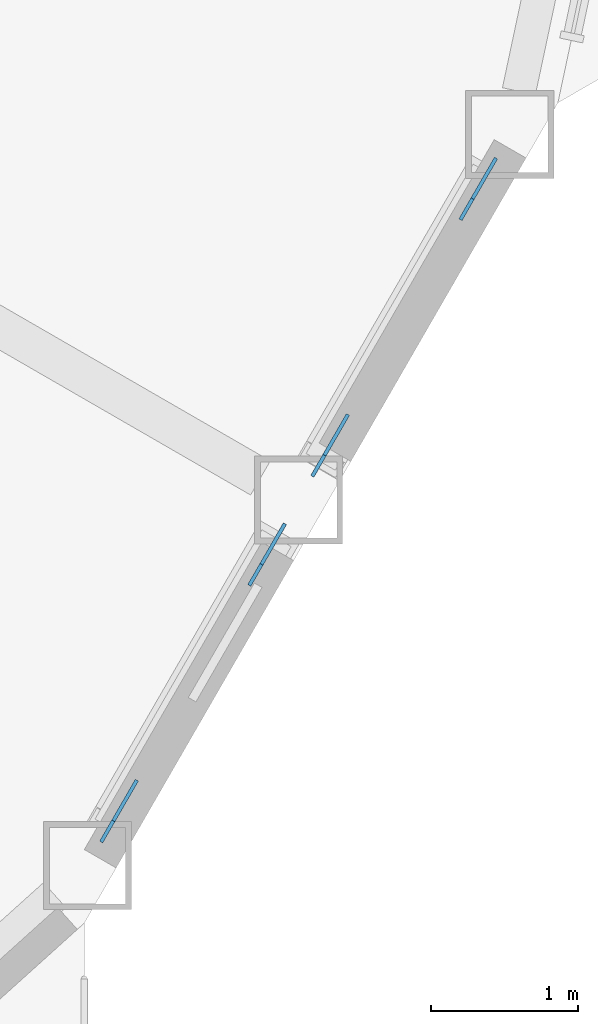
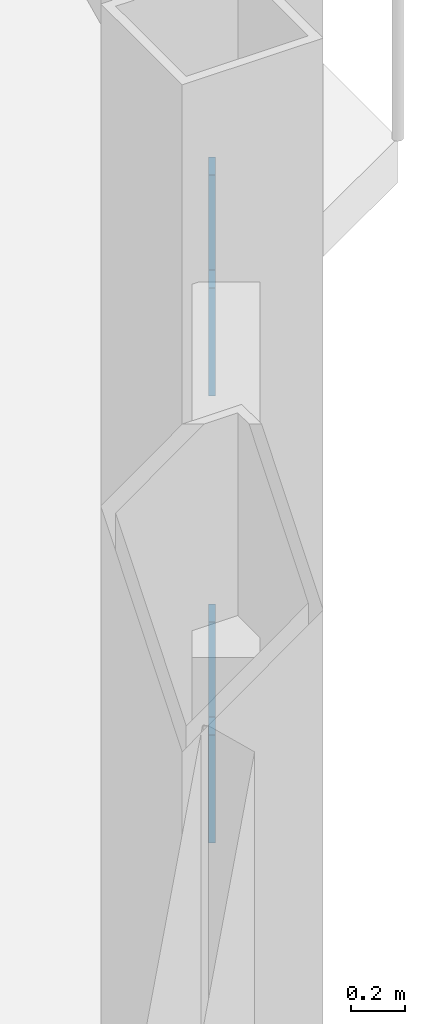
# One storey, part 20 of 26: 4 discrete accessories.
"""IFC4 building model written with IfcOpenShell, lengths in metres."""

from ifc_helpers import new_model, si_unit, direction, frame, origin, origin_2d, place, context, subcontext, project, spatial, rectangle, extrude, material, material_profile, profile_set, type_object, element, save


model = new_model("IFC4")

# Units and contexts
model_context = context("Model", 3, precision=1e-05, world=origin(), true_north=direction((0.0, 1.0)))
body_context = subcontext(model_context, "Body", "Model", "MODEL_VIEW")
ifc_project = project(units=[si_unit("LENGTHUNIT", "METRE"), si_unit("AREAUNIT", "SQUARE_METRE"), si_unit("VOLUMEUNIT", "CUBIC_METRE"), si_unit("PLANEANGLEUNIT", "RADIAN"), si_unit("MASSUNIT", "GRAM", prefix="KILO")], contexts=[model_context])

# Site, building, storey
site_placement = place(None, origin())
site = spatial("IfcSite", under=ifc_project, at=site_placement, CompositionType="ELEMENT")
building_placement = place(site_placement, origin())
building = spatial("IfcBuilding", under=site, at=building_placement, Name="Cormorant Prow Tower", CompositionType="ELEMENT")
storey_placement = place(building_placement, frame((0.0, 0.0, 329.0)))
storey = spatial("IfcBuildingStorey", under=building, at=storey_placement, Name="L73", CompositionType="ELEMENT", Elevation=329.0)

# Discrete accessories
ifc_material = material(Name="Structural steel ASTM A500 Gr C", Category="steel")
ifc_material_profile = material_profile(ifc_material, rectangle(XDim=0.02490234375, YDim=0.405029296875, at=origin_2d()), Name="Gusset plate 25x405")
ifc_profile_set = profile_set([ifc_material_profile], Name="Structural steel ASTM A500 Gr C")
discrete_accessory_type = type_object("IfcDiscreteAccessoryType", Name="Gusset plate 25x405", PredefinedType="BRACKET", material=ifc_profile_set)
discrete_accessory_1_placement = place(storey_placement, frame((27.137939453125, -16.34765625, 0.86376953125), z_axis=(0.45649114423, 0.790134518758, -0.409027233209), x_axis=(-0.865879799044, 0.500252110048, 0.0)))
element("IfcDiscreteAccessory", 1, at=discrete_accessory_1_placement, inside=storey, type_object=discrete_accessory_type, Name="Gusset plate GP3 L73.ESE00.g0", PredefinedType="BRACKET", context=body_context, shape_type="SweptSolid", body=[
    extrude(rectangle(XDim=0.02490234375, YDim=0.405029296875, at=origin_2d()), origin(), (0.0, 0.0, 1.0), 0.349853515625),
])
discrete_accessory_2_placement = place(storey_placement, frame((26.289794921875, -17.817138671875, 1.6240234375), z_axis=(-0.456661376387, -0.789919602208, 0.409252256395), x_axis=(0.865740004385, -0.50049400077, 0.0)))
element("IfcDiscreteAccessory", 2, at=discrete_accessory_2_placement, inside=storey, type_object=discrete_accessory_type, Name="Gusset plate GP3 L73.ESE00.g1", PredefinedType="BRACKET", context=body_context, shape_type="SweptSolid", body=[
    extrude(rectangle(XDim=0.02490234375, YDim=0.405029296875, at=origin_2d()), origin(), (0.0, 0.0, 1.0), 0.35009765625),
])
discrete_accessory_3_placement = place(storey_placement, frame((28.574951171875, -13.85888671875, 0.86376953125), z_axis=(0.456239480558, 0.790396531303, -0.408801736402), x_axis=(-0.866071029786, 0.499920965119, 0.0)))
element("IfcDiscreteAccessory", 3, at=discrete_accessory_3_placement, inside=storey, type_object=discrete_accessory_type, Name="Gusset plate GP3 L73.ESE01.g0", PredefinedType="BRACKET", context=body_context, shape_type="SweptSolid", body=[
    extrude(rectangle(XDim=0.02490234375, YDim=0.405029296875, at=origin_2d()), origin(), (0.0, 0.0, 1.0), 0.349853515625),
])
discrete_accessory_4_placement = place(storey_placement, frame((27.7265625, -15.328369140625, 1.6240234375), z_axis=(-0.456109312262, -0.790171025676, 0.409382517274), x_axis=(0.866071029786, -0.499920965119, 0.0)))
element("IfcDiscreteAccessory", 4, at=discrete_accessory_4_placement, inside=storey, type_object=discrete_accessory_type, Name="Gusset plate GP3 L73.ESE01.g1", PredefinedType="BRACKET", context=body_context, shape_type="SweptSolid", body=[
    extrude(rectangle(XDim=0.02490234375, YDim=0.405029296875, at=origin_2d()), origin(), (0.0, 0.0, 1.0), 0.35009765625),
])

save(model, "model.ifc")
